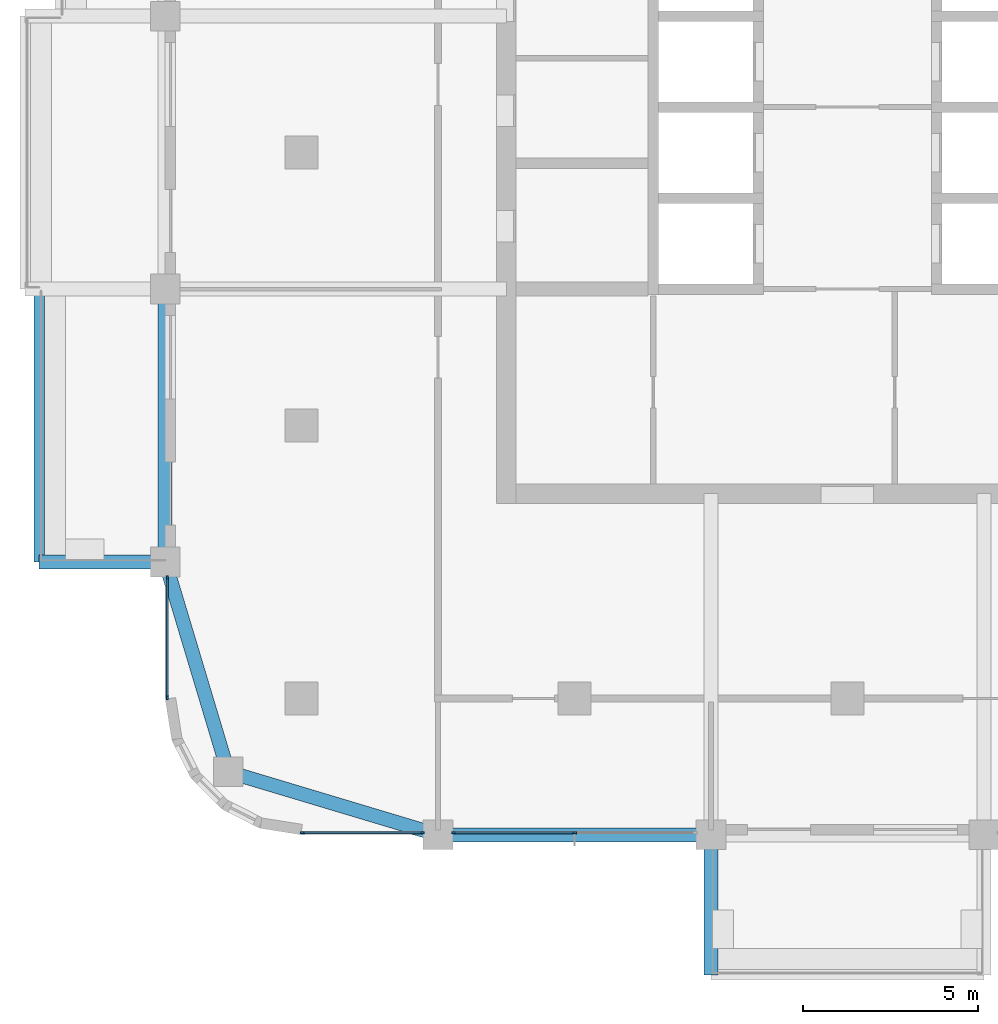
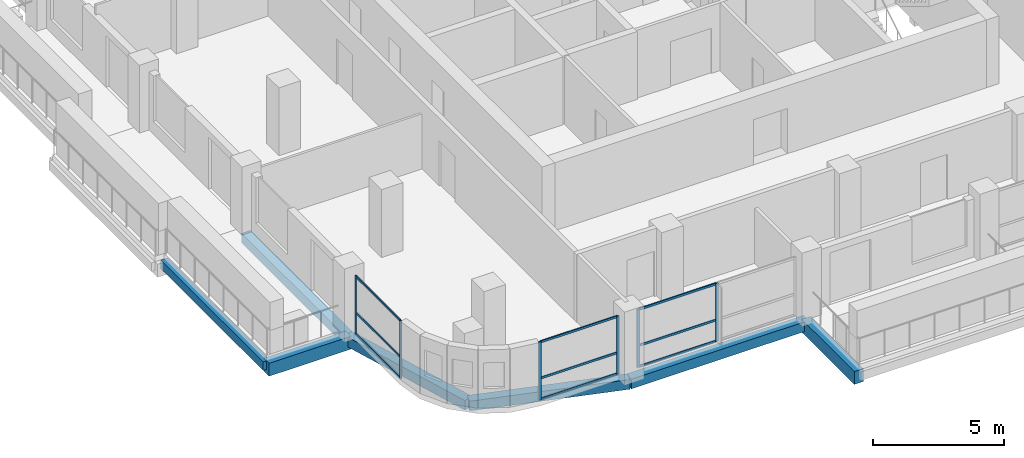
# One storey, part 2 of 19: 15 members, 7 beams, 3 elements without a shape of their own.
"""IFC4 building model written with IfcOpenShell, lengths in metres."""

import ifcopenshell
import ifcopenshell.guid

model = None  # the IFC model being written
_history = None  # IfcOwnerHistory: only IFC2X3 demands one
_inside = {}  # id of a spatial element -> (the spatial element, [elements in it])
_under = {}  # id of a project, library or spatial element -> (it, [spatial elements below it])
_declared = {}  # id of a project -> (the project, [libraries it declares])
_typed = {}  # id of a type object -> (the type object, [elements of that type])
_made_of = {}  # id of a material, layer set ... -> (it, [elements and type objects made of it])


def new_model(schema):
    """Start an empty IFC model of exactly this schema.

    Asked for "IFC4X3", IfcOpenShell would pick the latest addendum, in which some entities
    have other attributes; the version numbers below select the first issue.
    IFC2X3 requires an IfcOwnerHistory on every rooted entity: one is made here for all.
    """
    global model, _history
    if schema == "IFC4X3":
        model = ifcopenshell.file(schema_version=(4, 3, 0, 0))
    else:
        model = ifcopenshell.file(schema=schema)
    _inside.clear()
    _under.clear()
    _declared.clear()
    _typed.clear()
    _made_of.clear()
    _history = None
    if model.schema == "IFC2X3":
        org = make("IfcOrganization", Name="unknown")
        user = make(
            "IfcPersonAndOrganization",
            ThePerson=make("IfcPerson", FamilyName="unknown"),
            TheOrganization=org,
        )
        app = make(
            "IfcApplication",
            ApplicationDeveloper=org,
            Version="unknown",
            ApplicationFullName="unknown",
            ApplicationIdentifier="unknown",
        )
        _history = make(
            "IfcOwnerHistory",
            OwningUser=user,
            OwningApplication=app,
            ChangeAction="ADDED",
            CreationDate=0,
        )
    return model


def make(cls, **values):
    """One entity of the class cls with the attributes given. An attribute that is None is left unset."""
    return model.create_entity(
        cls, **{name: value for name, value in values.items() if value is not None}
    )


def rooted(cls, **values):
    """An entity with a GlobalId (a new one), such as an element, a storey or a relation."""
    return make(cls, GlobalId=ifcopenshell.guid.new(), OwnerHistory=_history, **values)


def si_unit(unit_type, name, prefix=None):
    """IfcSIUnit, for example si_unit("LENGTHUNIT", "METRE", prefix="MILLI")."""
    return make("IfcSIUnit", UnitType=unit_type, Prefix=prefix, Name=name)


def assignment(units):
    """IfcUnitAssignment: the units of a project."""
    return None if units is None else make("IfcUnitAssignment", Units=units)


def point(xyz):
    """IfcCartesianPoint."""
    return None if xyz is None else make("IfcCartesianPoint", Coordinates=xyz)


def direction(xyz):
    """IfcDirection."""
    return None if xyz is None else make("IfcDirection", DirectionRatios=xyz)


def frame(location, z_axis=None, x_axis=None):
    """IfcAxis2Placement3D, a coordinate frame: its origin and axes. An axis left out is left unset."""
    return make(
        "IfcAxis2Placement3D",
        Location=point(location),
        Axis=direction(z_axis),
        RefDirection=direction(x_axis),
    )


def frame_2d(location, x_axis=None):
    """IfcAxis2Placement2D, a coordinate frame in the plane: its origin and x axis."""
    return make(
        "IfcAxis2Placement2D", Location=point(location), RefDirection=direction(x_axis)
    )


def origin():
    """The frame at (0, 0, 0) with its axes left unset."""
    return frame((0.0, 0.0, 0.0))


def origin_2d():
    """The frame at (0, 0) in the plane with its x axis left unset."""
    return frame_2d((0.0, 0.0))


def place(relative_to, where):
    """IfcLocalPlacement: puts the frame where relative to a parent placement (None: the world)."""
    return make(
        "IfcLocalPlacement", PlacementRelTo=relative_to, RelativePlacement=where
    )


def context(
    kind, dimensions, precision=None, world=None, true_north=None, identifier=None
):
    """IfcGeometricRepresentationContext, for example the 3D "Model" context."""
    return make(
        "IfcGeometricRepresentationContext",
        ContextIdentifier=identifier,
        ContextType=kind,
        CoordinateSpaceDimension=dimensions,
        Precision=precision,
        WorldCoordinateSystem=world,
        TrueNorth=true_north,
    )


def subcontext(parent, identifier, kind, view, scale=None):
    """IfcGeometricRepresentationSubContext, for example "Body" below "Model"."""
    return make(
        "IfcGeometricRepresentationSubContext",
        ContextIdentifier=identifier,
        ContextType=kind,
        ParentContext=parent,
        TargetScale=scale,
        TargetView=view,
    )


def project(units=None, contexts=None):
    """IfcProject with its units and contexts."""
    return rooted(
        "IfcProject",
        Name="project",
        RepresentationContexts=contexts,
        UnitsInContext=assignment(units),
    )


def spatial(cls, under=None, at=None, **own):
    """A site, building, storey or space (cls), placed at a placement, below another one or the project."""
    s = rooted(cls, ObjectPlacement=at, **own)
    if under is not None:
        _under.setdefault(under.id(), (under, []))[1].append(s)
    return s


def profile(cls, at=None, kind="AREA", **sizes):
    """A parametric profile (cls). Its sizes go by their IFC names, for example OverallWidth=200.0."""
    return make(cls, ProfileType=kind, Position=at, **sizes)


def rectangle(**sizes):
    """IfcRectangleProfileDef."""
    return profile("IfcRectangleProfileDef", **sizes)


def extrude(swept, where, along, depth):
    """IfcExtrudedAreaSolid: the profile swept, set in the frame where, extruded along a direction by depth."""
    return make(
        "IfcExtrudedAreaSolid",
        SweptArea=swept,
        Position=where,
        ExtrudedDirection=direction(along),
        Depth=depth,
    )


def shape(context_of_items, identifier, shape_type, items):
    """IfcShapeRepresentation: the items that make up one representation, for example the "Body"."""
    return make(
        "IfcShapeRepresentation",
        ContextOfItems=context_of_items,
        RepresentationIdentifier=identifier,
        RepresentationType=shape_type,
        Items=items,
    )


def material(Name=None, Category=None):
    """IfcMaterial."""
    return make("IfcMaterial", Name=Name, Category=Category)


def material_profile(
    of_material, cross_section, Name=None, Category=None, Priority=None
):
    """IfcMaterialProfile: a cross section and its material."""
    return make(
        "IfcMaterialProfile",
        Name=Name,
        Material=of_material,
        Profile=cross_section,
        Priority=Priority,
        Category=Category,
    )


def profile_set(profiles, Name=None, composite=None):
    """IfcMaterialProfileSet."""
    return make(
        "IfcMaterialProfileSet",
        Name=Name,
        MaterialProfiles=profiles,
        CompositeProfile=composite,
    )


def made_of(thing, what):
    """Note that an element or type object is made of a material, layer set ...; save() writes the relation."""
    if what is not None:
        _made_of.setdefault(what.id(), (what, []))[1].append(thing)
    return thing


def type_object(cls, material=None, **own):
    """A type object (cls), such as IfcWallType, which elements share."""
    return made_of(rooted(cls, **own), material)


def element(
    cls,
    number,
    at=None,
    inside=None,
    cuts=None,
    type_object=None,
    material=None,
    context=None,
    identifier="Body",
    shape_type=None,
    held_by="IfcProductDefinitionShape",
    body=None,
    shapes=None,
    **own,
):
    """One element of the class cls, such as IfcWall. Its Tag is "e" and its number.

    at: its placement. inside: the storey or other place that contains it. cuts: it is an
    opening in that element (IfcRelVoidsElement). A single representation is given by context,
    identifier, shape_type and body (its items); several are given by shapes. held_by: the class
    of the entity that holds the representations. save() writes the other relations.
    """
    e = rooted(cls, Tag="e%d" % number, ObjectPlacement=at, **own)
    if body is not None:
        shapes = [shape(context, identifier, shape_type, body)]
    if shapes is not None:
        e.Representation = make(held_by, Representations=shapes)
    if inside is not None:
        _inside.setdefault(inside.id(), (inside, []))[1].append(e)
    if cuts is not None:
        rooted(
            "IfcRelVoidsElement", RelatingBuildingElement=cuts, RelatedOpeningElement=e
        )
    if type_object is not None:
        _typed.setdefault(type_object.id(), (type_object, []))[1].append(e)
    return made_of(e, material)


def aggregate(whole, parts):
    """IfcRelAggregates: a whole, such as a stair, and the parts it consists of."""
    return rooted("IfcRelAggregates", RelatingObject=whole, RelatedObjects=parts)


def save(model, path):
    """Write the relations noted so far, then the file.

    IfcRelAggregates (storeys below a building ...), IfcRelContainedInSpatialStructure (elements
    in a storey), IfcRelDefinesByType, IfcRelAssociatesMaterial and IfcRelDeclares: one each for
    every whole, place, type object, material and project.
    """
    for whole, parts in _under.values():
        aggregate(whole, parts)
    for where, things in _inside.values():
        rooted(
            "IfcRelContainedInSpatialStructure",
            RelatedElements=things,
            RelatingStructure=where,
        )
    for kind, things in _typed.values():
        rooted("IfcRelDefinesByType", RelatedObjects=things, RelatingType=kind)
    for what, things in _made_of.values():
        rooted("IfcRelAssociatesMaterial", RelatedObjects=things, RelatingMaterial=what)
    for by, libraries in _declared.values():
        rooted("IfcRelDeclares", RelatingContext=by, RelatedDefinitions=libraries)
    model.write(path)


model = new_model("IFC4")

# Units and contexts
model_context = context("Model", 3, precision=1e-05, world=origin(), true_north=direction((0.0, 1.0)))
body_context = subcontext(model_context, "Body", "Model", "MODEL_VIEW")
ifc_project = project(units=[si_unit("LENGTHUNIT", "METRE"), si_unit("AREAUNIT", "SQUARE_METRE"), si_unit("VOLUMEUNIT", "CUBIC_METRE"), si_unit("PLANEANGLEUNIT", "RADIAN"), si_unit("MASSUNIT", "GRAM", prefix="KILO")], contexts=[model_context])

# Site, building, storey
site_placement = place(None, origin())
site = spatial("IfcSite", under=ifc_project, at=site_placement, CompositionType="ELEMENT")
building_placement = place(site_placement, origin())
building = spatial("IfcBuilding", under=site, at=building_placement, Name="Ludao Terraces", CompositionType="ELEMENT")
storey_placement = place(building_placement, frame((0.0, 0.0, 133.89990234375)))
storey = spatial("IfcBuildingStorey", under=building, at=storey_placement, Name="L36", CompositionType="ELEMENT", Elevation=133.89990234375)

# Curtain wall, members
ifc_material_1 = material(Name="Aluminium curtain wall with fritted glass", Category="aluminium")
curtain_wall_type = type_object("IfcCurtainWallType", Name="ENV CW3 community glazing", PredefinedType="NOTDEFINED", material=ifc_material_1)
curtain_wall_1_placement = place(storey_placement, origin())
curtain_wall_1 = element("IfcCurtainWall", 1, at=curtain_wall_1_placement, inside=storey, type_object=curtain_wall_type, Name="Community floor glazing L36 S1", PredefinedType="NOTDEFINED")
ifc_material_2 = material(Name="Aluminium 6063-T6", Category="aluminium")
ifc_material_profile_1 = material_profile(ifc_material_2, rectangle(XDim=0.050048828125, YDim=0.1201171875, at=origin_2d()), Name="50 X 120")
ifc_profile_set_1 = profile_set([ifc_material_profile_1], Name="Aluminium 6063-T6")
member_type_1 = type_object("IfcMemberType", Name="ENV CW3 mullion 50x120", PredefinedType="MULLION", material=ifc_profile_set_1)
member_1_placement = place(storey_placement, frame((69.425048828125, 45.56005859375, 0.0), z_axis=(0.0, 0.0, 1.0), x_axis=(0.0, 1.0, 0.0)))
member_1 = element("IfcMember", 2, at=member_1_placement, type_object=member_type_1, Name="CW3 mullion 1", PredefinedType="MULLION", context=body_context, shape_type="SweptSolid", body=[
    extrude(rectangle(XDim=0.050048828125, YDim=0.1201171875, at=origin_2d()), origin(), (0.0, 0.0, 1.0), 2.7001953125),
])
member_2_placement = place(storey_placement, frame((72.85009765625, 45.56005859375, 0.0), z_axis=(0.0, 0.0, 1.0), x_axis=(0.0, 1.0, 0.0)))
member_2 = element("IfcMember", 3, at=member_2_placement, type_object=member_type_1, Name="CW3 mullion 2", PredefinedType="MULLION", context=body_context, shape_type="SweptSolid", body=[
    extrude(rectangle(XDim=0.050048828125, YDim=0.1201171875, at=origin_2d()), origin(), (0.0, 0.0, 1.0), 2.7001953125),
])

curtain_wall_2_placement = place(storey_placement, origin())
curtain_wall_2 = element("IfcCurtainWall", 4, at=curtain_wall_2_placement, inside=storey, type_object=curtain_wall_type, Name="Community floor glazing L36 S2", PredefinedType="NOTDEFINED")
member_3_placement = place(storey_placement, frame((73.75, 45.56005859375, 0.0), z_axis=(0.0, 0.0, 1.0), x_axis=(0.0, 1.0, 0.0)))
member_3 = element("IfcMember", 5, at=member_3_placement, type_object=member_type_1, Name="CW3 mullion 1", PredefinedType="MULLION", context=body_context, shape_type="SweptSolid", body=[
    extrude(rectangle(XDim=0.050048828125, YDim=0.1201171875, at=origin_2d()), origin(), (0.0, 0.0, 1.0), 2.7001953125),
])
member_4_placement = place(storey_placement, frame((77.199951171875, 45.56005859375, 0.0), z_axis=(0.0, 0.0, 1.0), x_axis=(0.0, 1.0, 0.0)))
member_4 = element("IfcMember", 6, at=member_4_placement, type_object=member_type_1, Name="CW3 mullion 2", PredefinedType="MULLION", context=body_context, shape_type="SweptSolid", body=[
    extrude(rectangle(XDim=0.050048828125, YDim=0.1201171875, at=origin_2d()), origin(), (0.0, 0.0, 1.0), 2.7001953125),
])

curtain_wall_3_placement = place(storey_placement, origin())
curtain_wall_3 = element("IfcCurtainWall", 7, at=curtain_wall_3_placement, inside=storey, type_object=curtain_wall_type, Name="Community floor glazing L36 W1", PredefinedType="NOTDEFINED")
member_5_placement = place(storey_placement, frame((65.56005859375, 49.425048828125, 0.0), z_axis=(0.0, 0.0, 1.0), x_axis=(-1.0, 0.0, 0.0)))
member_5 = element("IfcMember", 8, at=member_5_placement, type_object=member_type_1, Name="CW3 mullion 1", PredefinedType="MULLION", context=body_context, shape_type="SweptSolid", body=[
    extrude(rectangle(XDim=0.050048828125, YDim=0.1201171875, at=origin_2d()), origin(), (0.0, 0.0, 1.0), 2.7001953125),
])
member_6_placement = place(storey_placement, frame((65.56005859375, 52.85009765625, 0.0), z_axis=(0.0, 0.0, 1.0), x_axis=(-1.0, 0.0, 0.0)))
member_6 = element("IfcMember", 9, at=member_6_placement, type_object=member_type_1, Name="CW3 mullion 2", PredefinedType="MULLION", context=body_context, shape_type="SweptSolid", body=[
    extrude(rectangle(XDim=0.050048828125, YDim=0.1201171875, at=origin_2d()), origin(), (0.0, 0.0, 1.0), 2.7001953125),
])

# Member
ifc_material_profile_2 = material_profile(ifc_material_2, rectangle(XDim=0.050048828125, YDim=0.10009765625, at=origin_2d()), Name="50 X 100")
ifc_profile_set_2 = profile_set([ifc_material_profile_2], Name="Aluminium 6063-T6")
member_type_2 = type_object("IfcMemberType", Name="ENV CW3 transom 50x100", PredefinedType="USERDEFINED", material=ifc_profile_set_2)
member_7_placement = place(storey_placement, frame((69.449951171875, 45.56005859375, 0.025146484375), z_axis=(1.0, 0.0, 0.0), x_axis=(0.0, 1.0, 0.0)))
member_7 = element("IfcMember", 10, at=member_7_placement, type_object=member_type_2, Name="CW3 transom 1.1", ObjectType="TRANSOM", PredefinedType="USERDEFINED", context=body_context, shape_type="SweptSolid", body=[
    extrude(rectangle(XDim=0.050048828125, YDim=0.10009765625, at=origin_2d()), origin(), (0.0, 0.0, 1.0), 3.375),
])

member_8_placement = place(storey_placement, frame((69.449951171875, 45.56005859375, 1.0), z_axis=(1.0, 0.0, 0.0), x_axis=(0.0, 1.0, 0.0)))
member_8 = element("IfcMember", 11, at=member_8_placement, type_object=member_type_2, Name="CW3 transom 1.2", ObjectType="TRANSOM", PredefinedType="USERDEFINED", context=body_context, shape_type="SweptSolid", body=[
    extrude(rectangle(XDim=0.050048828125, YDim=0.10009765625, at=origin_2d()), origin(), (0.0, 0.0, 1.0), 3.375),
])

member_9_placement = place(storey_placement, frame((69.449951171875, 45.56005859375, 2.675048828125), z_axis=(1.0, 0.0, 0.0), x_axis=(0.0, 1.0, 0.0)))
member_9 = element("IfcMember", 12, at=member_9_placement, type_object=member_type_2, Name="CW3 transom 1.3", ObjectType="TRANSOM", PredefinedType="USERDEFINED", context=body_context, shape_type="SweptSolid", body=[
    extrude(rectangle(XDim=0.050048828125, YDim=0.10009765625, at=origin_2d()), origin(), (0.0, 0.0, 1.0), 3.375),
])

aggregate(curtain_wall_1, [member_1, member_2, member_7, member_8, member_9])

member_10_placement = place(storey_placement, frame((73.77490234375, 45.56005859375, 0.025146484375), z_axis=(1.0, 0.0, 0.0), x_axis=(0.0, 1.0, 0.0)))
member_10 = element("IfcMember", 13, at=member_10_placement, type_object=member_type_2, Name="CW3 transom 1.1", ObjectType="TRANSOM", PredefinedType="USERDEFINED", context=body_context, shape_type="SweptSolid", body=[
    extrude(rectangle(XDim=0.050048828125, YDim=0.10009765625, at=origin_2d()), origin(), (0.0, 0.0, 1.0), 3.400146484375),
])

member_11_placement = place(storey_placement, frame((73.77490234375, 45.56005859375, 1.0), z_axis=(1.0, 0.0, 0.0), x_axis=(0.0, 1.0, 0.0)))
member_11 = element("IfcMember", 14, at=member_11_placement, type_object=member_type_2, Name="CW3 transom 1.2", ObjectType="TRANSOM", PredefinedType="USERDEFINED", context=body_context, shape_type="SweptSolid", body=[
    extrude(rectangle(XDim=0.050048828125, YDim=0.10009765625, at=origin_2d()), origin(), (0.0, 0.0, 1.0), 3.400146484375),
])

member_12_placement = place(storey_placement, frame((73.77490234375, 45.56005859375, 2.675048828125), z_axis=(1.0, 0.0, 0.0), x_axis=(0.0, 1.0, 0.0)))
member_12 = element("IfcMember", 15, at=member_12_placement, type_object=member_type_2, Name="CW3 transom 1.3", ObjectType="TRANSOM", PredefinedType="USERDEFINED", context=body_context, shape_type="SweptSolid", body=[
    extrude(rectangle(XDim=0.050048828125, YDim=0.10009765625, at=origin_2d()), origin(), (0.0, 0.0, 1.0), 3.400146484375),
])

aggregate(curtain_wall_2, [member_3, member_4, member_10, member_11, member_12])

member_13_placement = place(storey_placement, frame((65.56005859375, 49.449951171875, 0.025146484375), z_axis=(0.0, 1.0, 0.0), x_axis=(-1.0, 0.0, 0.0)))
member_13 = element("IfcMember", 16, at=member_13_placement, type_object=member_type_2, Name="CW3 transom 1.1", ObjectType="TRANSOM", PredefinedType="USERDEFINED", context=body_context, shape_type="SweptSolid", body=[
    extrude(rectangle(XDim=0.050048828125, YDim=0.10009765625, at=origin_2d()), origin(), (0.0, 0.0, 1.0), 3.375),
])

member_14_placement = place(storey_placement, frame((65.56005859375, 49.449951171875, 1.0), z_axis=(0.0, 1.0, 0.0), x_axis=(-1.0, 0.0, 0.0)))
member_14 = element("IfcMember", 17, at=member_14_placement, type_object=member_type_2, Name="CW3 transom 1.2", ObjectType="TRANSOM", PredefinedType="USERDEFINED", context=body_context, shape_type="SweptSolid", body=[
    extrude(rectangle(XDim=0.050048828125, YDim=0.10009765625, at=origin_2d()), origin(), (0.0, 0.0, 1.0), 3.375),
])

member_15_placement = place(storey_placement, frame((65.56005859375, 49.449951171875, 2.675048828125), z_axis=(0.0, 1.0, 0.0), x_axis=(-1.0, 0.0, 0.0)))
member_15 = element("IfcMember", 18, at=member_15_placement, type_object=member_type_2, Name="CW3 transom 1.3", ObjectType="TRANSOM", PredefinedType="USERDEFINED", context=body_context, shape_type="SweptSolid", body=[
    extrude(rectangle(XDim=0.050048828125, YDim=0.10009765625, at=origin_2d()), origin(), (0.0, 0.0, 1.0), 3.375),
])

aggregate(curtain_wall_3, [member_5, member_6, member_13, member_14, member_15])

# Beams
ifc_material_3 = material(Name="Concrete C40", Category="concrete")
ifc_material_profile_3 = material_profile(ifc_material_3, rectangle(XDim=0.300048828125, YDim=0.39990234375, at=origin_2d()), Name="300 X 400")
ifc_profile_set_3 = profile_set([ifc_material_profile_3], Name="Concrete C40")
beam_type_1 = type_object("IfcBeamType", Name="RC beam 300x400 C40", PredefinedType="BEAM", material=ifc_profile_set_3)
beam_1_placement = place(storey_placement, frame((61.89990234375, 53.300048828125, -0.449951171875), z_axis=(0.0, 1.0, 0.0), x_axis=(-1.0, 0.0, 0.0)))
element("IfcBeam", 19, at=beam_1_placement, inside=storey, type_object=beam_type_1, Name="Balcony edge beam L36 W1", PredefinedType="BEAM", context=body_context, shape_type="SweptSolid", body=[
    extrude(rectangle(XDim=0.300048828125, YDim=0.39990234375, at=origin_2d()), origin(), (0.0, 0.0, 1.0), 7.800048828125),
])
ifc_material_profile_4 = material_profile(ifc_material_3, rectangle(XDim=0.39990234375, YDim=0.449951171875, at=origin_2d()), Name="400 X 450")
ifc_profile_set_4 = profile_set([ifc_material_profile_4], Name="Concrete C40")
beam_type_2 = type_object("IfcBeamType", Name="RC beam 400x450 C40", PredefinedType="BEAM", material=ifc_profile_set_4)
beam_2_placement = place(storey_placement, frame((67.300048828125, 47.300048828125, -0.474853515625), z_axis=(0.957824139839, -0.287355036744, 0.0), x_axis=(0.287355036744, 0.957824139839, 0.0)))
element("IfcBeam", 20, at=beam_2_placement, inside=storey, type_object=beam_type_2, Name="Spandrel beam L36 S1", PredefinedType="BEAM", context=body_context, shape_type="SweptSolid", body=[
    extrude(rectangle(XDim=0.39990234375, YDim=0.449951171875, at=origin_2d()), origin(), (0.0, 0.0, 1.0), 6.26416015625),
])
beam_3_placement = place(storey_placement, frame((73.300048828125, 45.5, -0.474853515625), z_axis=(1.0, 0.0, 0.0), x_axis=(0.0, 1.0, 0.0)))
element("IfcBeam", 21, at=beam_3_placement, inside=storey, type_object=beam_type_2, Name="Spandrel beam L36 S2", PredefinedType="BEAM", context=body_context, shape_type="SweptSolid", body=[
    extrude(rectangle(XDim=0.39990234375, YDim=0.449951171875, at=origin_2d()), origin(), (0.0, 0.0, 1.0), 7.800048828125),
])
beam_4_placement = place(storey_placement, frame((67.300048828125, 47.300048828125, -0.474853515625), z_axis=(-0.287355036744, 0.957824139839, 0.0), x_axis=(-0.957824139839, -0.287355036744, 0.0)))
element("IfcBeam", 22, at=beam_4_placement, inside=storey, type_object=beam_type_2, Name="Spandrel beam L36 W8", PredefinedType="BEAM", context=body_context, shape_type="SweptSolid", body=[
    extrude(rectangle(XDim=0.39990234375, YDim=0.449951171875, at=origin_2d()), origin(), (0.0, 0.0, 1.0), 6.26416015625),
])
beam_5_placement = place(storey_placement, frame((65.5, 53.300048828125, -0.474853515625), z_axis=(0.0, 1.0, 0.0), x_axis=(-1.0, 0.0, 0.0)))
element("IfcBeam", 23, at=beam_5_placement, inside=storey, type_object=beam_type_2, Name="Spandrel beam L36 W9", PredefinedType="BEAM", context=body_context, shape_type="SweptSolid", body=[
    extrude(rectangle(XDim=0.39990234375, YDim=0.449951171875, at=origin_2d()), origin(), (0.0, 0.0, 1.0), 7.800048828125),
])
ifc_material_profile_5 = material_profile(ifc_material_3, rectangle(XDim=0.39990234375, YDim=0.60009765625, at=origin_2d()), Name="400 X 600")
ifc_profile_set_5 = profile_set([ifc_material_profile_5], Name="Concrete C40")
beam_type_3 = type_object("IfcBeamType", Name="RC beam 400x600 C40", PredefinedType="BEAM", material=ifc_profile_set_5)
beam_6_placement = place(storey_placement, frame((81.10009765625, 45.5, -0.5498046875), z_axis=(0.0, -1.0, 0.0), x_axis=(1.0, 0.0, 0.0)))
element("IfcBeam", 24, at=beam_6_placement, inside=storey, type_object=beam_type_3, Name="Balcony beam L36 S811", PredefinedType="BEAM", context=body_context, shape_type="SweptSolid", body=[
    extrude(rectangle(XDim=0.39990234375, YDim=0.60009765625, at=origin_2d()), origin(), (0.0, 0.0, 1.0), 4.0),
])
beam_7_placement = place(storey_placement, frame((65.5, 53.300048828125, -0.5498046875), z_axis=(-1.0, 0.0, 0.0), x_axis=(0.0, -1.0, 0.0)))
element("IfcBeam", 25, at=beam_7_placement, inside=storey, type_object=beam_type_3, Name="Balcony beam L36 W533", PredefinedType="BEAM", context=body_context, shape_type="SweptSolid", body=[
    extrude(rectangle(XDim=0.39990234375, YDim=0.60009765625, at=origin_2d()), origin(), (0.0, 0.0, 1.0), 3.60009765625),
])

save(model, "model.ifc")
